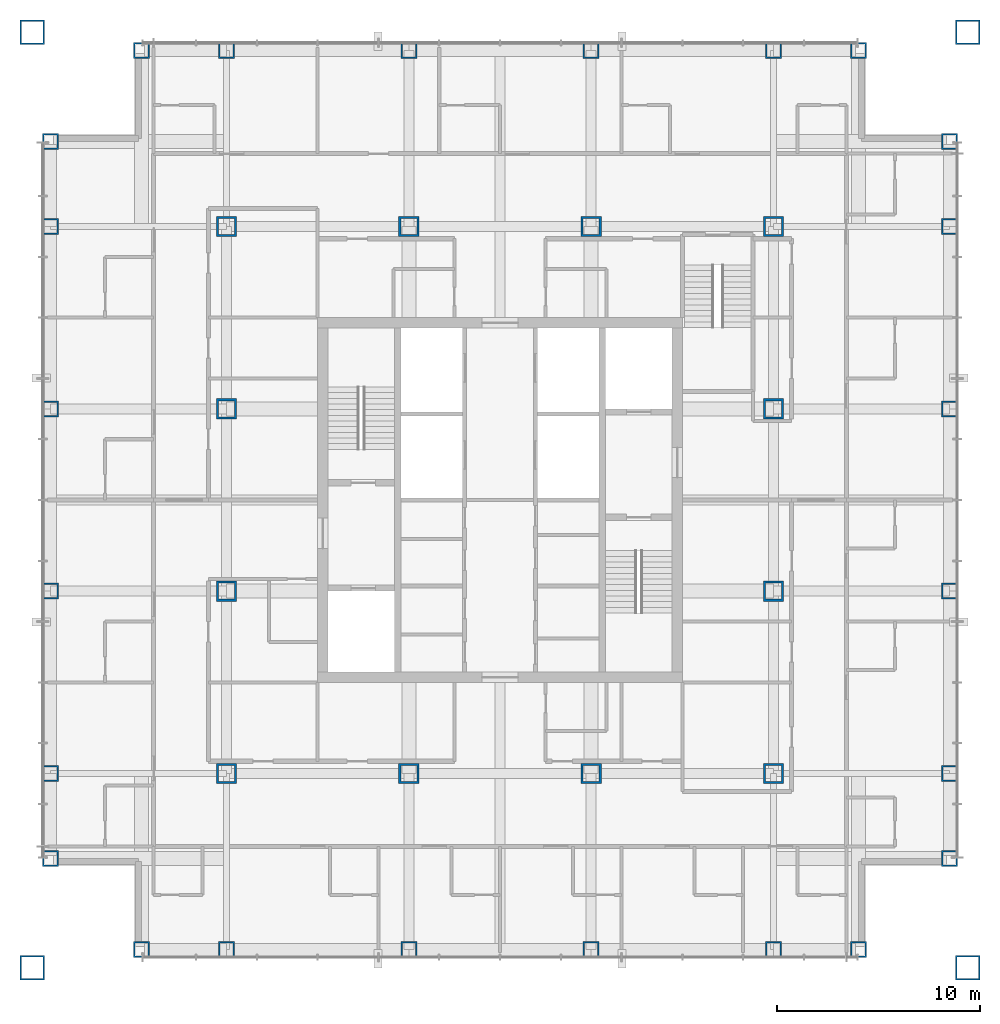
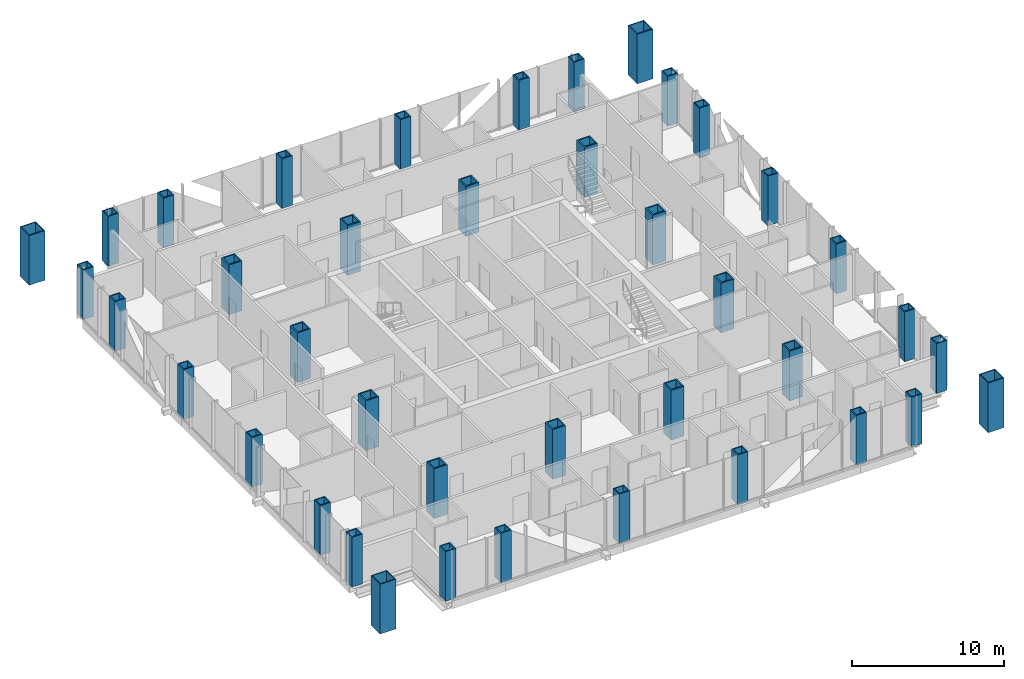
# One storey, part 1 of 16: 40 columns.
"""IFC4 building model written with IfcOpenShell, lengths in metres."""

from ifc_helpers import new_model, si_unit, direction, frame, origin, origin_2d, place, context, subcontext, project, spatial, hollow_rectangle, extrude, material, material_profile, profile_set, type_object, element, save


model = new_model("IFC4")

# Units and contexts
model_context = context("Model", 3, precision=1e-05, world=origin(), true_north=direction((0.0, 1.0)))
body_context = subcontext(model_context, "Body", "Model", "MODEL_VIEW")
ifc_project = project(units=[si_unit("LENGTHUNIT", "METRE"), si_unit("AREAUNIT", "SQUARE_METRE"), si_unit("VOLUMEUNIT", "CUBIC_METRE"), si_unit("PLANEANGLEUNIT", "RADIAN"), si_unit("MASSUNIT", "GRAM", prefix="KILO")], contexts=[model_context])

# Site, building, storey
site_placement = place(None, origin())
site = spatial("IfcSite", under=ifc_project, at=site_placement, CompositionType="ELEMENT")
building_placement = place(site_placement, origin())
building = spatial("IfcBuilding", under=site, at=building_placement, Name="Malebo Sky Hospital", CompositionType="ELEMENT")
storey_placement = place(building_placement, frame((0.0, 0.0, 197.0)))
storey = spatial("IfcBuildingStorey", under=building, at=storey_placement, Name="L47", CompositionType="ELEMENT", Elevation=197.0)

# Columns
ifc_material = material(Name="Steel S460", Category="steel")
ifc_material_profile_1 = material_profile(ifc_material, hollow_rectangle(XDim=1.0, YDim=1.0, WallThickness=0.10009765625, at=origin_2d()), Name="BOX 1000x1000x100")
ifc_profile_set_1 = profile_set([ifc_material_profile_1], Name="Steel S460")
column_type_1 = type_object("IfcColumnType", Name="INNER COLUMN BOX 1000x1000x100", PredefinedType="COLUMN", material=ifc_profile_set_1)
for number, where, z_axis, x_axis, name in (
    (1, (46.5, 48.5, 0.0), (0.0, 0.0, 1.0), (1.0, 0.0, 0.0), "Column IC9 L47"),
    (2, (73.5, 48.5, 0.0), (0.0, 0.0, 1.0), (1.0, 0.0, 0.0), "Column IC9 L47"),
    (3, (73.5, 75.5, 0.0), (0.0, 0.0, 1.0), (1.0, 0.0, 0.0), "Column IC9 L47"),
    (4, (46.5, 75.5, 0.0), (0.0, 0.0, 1.0), (1.0, 0.0, 0.0), "Column IC9 L47"),
    (5, (55.5, 48.5, 0.0), (0.0, 0.0, 1.0), (1.0, 0.0, 0.0), "Column IC9 L47"),
    (6, (64.5, 48.5, 0.0), (0.0, 0.0, 1.0), (1.0, 0.0, 0.0), "Column IC9 L47"),
    (7, (55.5, 75.5, 0.0), (0.0, 0.0, 1.0), (1.0, 0.0, 0.0), "Column IC9 L47"),
    (8, (64.5, 75.5, 0.0), (0.0, 0.0, 1.0), (1.0, 0.0, 0.0), "Column IC9 L47"),
    (9, (46.5, 57.5, 0.0), (0.0, 0.0, 1.0), (1.0, 0.0, 0.0), "Column IC9 L47"),
    (10, (46.5, 66.5, 0.0), (0.0, 0.0, 1.0), (1.0, 0.0, 0.0), "Column IC9 L47"),
    (11, (73.5, 57.5, 0.0), (0.0, 0.0, 1.0), (1.0, 0.0, 0.0), "Column IC9 L47"),
    (12, (73.5, 66.5, 0.0), (0.0, 0.0, 1.0), (1.0, 0.0, 0.0), "Column IC9 L47"),
):
    element("IfcColumn", number, at=place(storey_placement, frame(where, z_axis=z_axis, x_axis=x_axis)), inside=storey, type_object=column_type_1, Name=name, PredefinedType="COLUMN", context=body_context, shape_type="SweptSolid", body=[
        extrude(hollow_rectangle(XDim=1.0, YDim=1.0, WallThickness=0.10009765625, at=origin_2d()), origin(), (0.0, 0.0, 1.0), 4.0),
    ])
ifc_material_profile_2 = material_profile(ifc_material, hollow_rectangle(XDim=1.199951171875, YDim=1.199951171875, WallThickness=0.070068359375, at=origin_2d()), Name="BOX 1200x1200x70")
ifc_profile_set_2 = profile_set([ifc_material_profile_2], Name="Steel S460")
column_type_2 = type_object("IfcColumnType", Name="MEGA COLUMN BOX 1200x1200x70", PredefinedType="COLUMN", material=ifc_profile_set_2)
for number, where, z_axis, x_axis, name in (
    (13, (36.89990234375, 38.89990234375, 0.0), (0.0, 0.0, 1.0), (1.0, 0.0, 0.0), "Mega column SW L47"),
    (14, (83.10009765625, 38.89990234375, 0.0), (0.0, 0.0, 1.0), (1.0, 0.0, 0.0), "Mega column SE L47"),
    (15, (83.10009765625, 85.10009765625, 0.0), (0.0, 0.0, 1.0), (1.0, 0.0, 0.0), "Mega column NE L47"),
    (16, (36.89990234375, 85.10009765625, 0.0), (0.0, 0.0, 1.0), (1.0, 0.0, 0.0), "Mega column NW L47"),
):
    element("IfcColumn", number, at=place(storey_placement, frame(where, z_axis=z_axis, x_axis=x_axis)), inside=storey, type_object=column_type_2, Name=name, PredefinedType="COLUMN", context=body_context, shape_type="SweptSolid", body=[
        extrude(hollow_rectangle(XDim=1.199951171875, YDim=1.199951171875, WallThickness=0.070068359375, at=origin_2d()), origin(), (0.0, 0.0, 1.0), 4.0),
    ])
ifc_material_profile_3 = material_profile(ifc_material, hollow_rectangle(XDim=0.800048828125, YDim=0.800048828125, WallThickness=0.080078125, at=origin_2d()), Name="BOX 800x800x80")
ifc_profile_set_3 = profile_set([ifc_material_profile_3], Name="Steel S460")
column_type_3 = type_object("IfcColumnType", Name="PERIMETER COLUMN BOX 800x800x80", PredefinedType="COLUMN", material=ifc_profile_set_3)
for number, where, z_axis, x_axis, name in (
    (17, (42.300048828125, 39.800048828125, 0.0), (0.0, 0.0, 1.0), (1.0, 0.0, 0.0), "Column PC7 L47"),
    (18, (42.300048828125, 84.199951171875, 0.0), (0.0, 0.0, 1.0), (1.0, 0.0, 0.0), "Column PC7 L47"),
    (19, (37.800048828125, 44.300048828125, 0.0), (0.0, 0.0, 1.0), (1.0, 0.0, 0.0), "Column PC7 L47"),
    (20, (82.199951171875, 44.300048828125, 0.0), (0.0, 0.0, 1.0), (1.0, 0.0, 0.0), "Column PC7 L47"),
    (21, (46.5, 39.800048828125, 0.0), (0.0, 0.0, 1.0), (1.0, 0.0, 0.0), "Column PC7 L47"),
    (22, (46.5, 84.199951171875, 0.0), (0.0, 0.0, 1.0), (1.0, 0.0, 0.0), "Column PC7 L47"),
    (23, (37.800048828125, 48.5, 0.0), (0.0, 0.0, 1.0), (1.0, 0.0, 0.0), "Column PC7 L47"),
    (24, (82.199951171875, 48.5, 0.0), (0.0, 0.0, 1.0), (1.0, 0.0, 0.0), "Column PC7 L47"),
    (25, (55.5, 39.800048828125, 0.0), (0.0, 0.0, 1.0), (1.0, 0.0, 0.0), "Column PC7 L47"),
    (26, (55.5, 84.199951171875, 0.0), (0.0, 0.0, 1.0), (1.0, 0.0, 0.0), "Column PC7 L47"),
    (27, (37.800048828125, 57.5, 0.0), (0.0, 0.0, 1.0), (1.0, 0.0, 0.0), "Column PC7 L47"),
    (28, (82.199951171875, 57.5, 0.0), (0.0, 0.0, 1.0), (1.0, 0.0, 0.0), "Column PC7 L47"),
    (29, (64.5, 39.800048828125, 0.0), (0.0, 0.0, 1.0), (1.0, 0.0, 0.0), "Column PC7 L47"),
    (30, (64.5, 84.199951171875, 0.0), (0.0, 0.0, 1.0), (1.0, 0.0, 0.0), "Column PC7 L47"),
    (31, (37.800048828125, 66.5, 0.0), (0.0, 0.0, 1.0), (1.0, 0.0, 0.0), "Column PC7 L47"),
    (32, (82.199951171875, 66.5, 0.0), (0.0, 0.0, 1.0), (1.0, 0.0, 0.0), "Column PC7 L47"),
    (33, (73.5, 39.800048828125, 0.0), (0.0, 0.0, 1.0), (1.0, 0.0, 0.0), "Column PC7 L47"),
    (34, (73.5, 84.199951171875, 0.0), (0.0, 0.0, 1.0), (1.0, 0.0, 0.0), "Column PC7 L47"),
    (35, (37.800048828125, 75.5, 0.0), (0.0, 0.0, 1.0), (1.0, 0.0, 0.0), "Column PC7 L47"),
    (36, (82.199951171875, 75.5, 0.0), (0.0, 0.0, 1.0), (1.0, 0.0, 0.0), "Column PC7 L47"),
    (37, (77.699951171875, 39.800048828125, 0.0), (0.0, 0.0, 1.0), (1.0, 0.0, 0.0), "Column PC7 L47"),
    (38, (77.699951171875, 84.199951171875, 0.0), (0.0, 0.0, 1.0), (1.0, 0.0, 0.0), "Column PC7 L47"),
    (39, (37.800048828125, 79.699951171875, 0.0), (0.0, 0.0, 1.0), (1.0, 0.0, 0.0), "Column PC7 L47"),
    (40, (82.199951171875, 79.699951171875, 0.0), (0.0, 0.0, 1.0), (1.0, 0.0, 0.0), "Column PC7 L47"),
):
    element("IfcColumn", number, at=place(storey_placement, frame(where, z_axis=z_axis, x_axis=x_axis)), inside=storey, type_object=column_type_3, Name=name, PredefinedType="COLUMN", context=body_context, shape_type="SweptSolid", body=[
        extrude(hollow_rectangle(XDim=0.800048828125, YDim=0.800048828125, WallThickness=0.080078125, at=origin_2d()), origin(), (0.0, 0.0, 1.0), 4.0),
    ])

save(model, "model.ifc")
